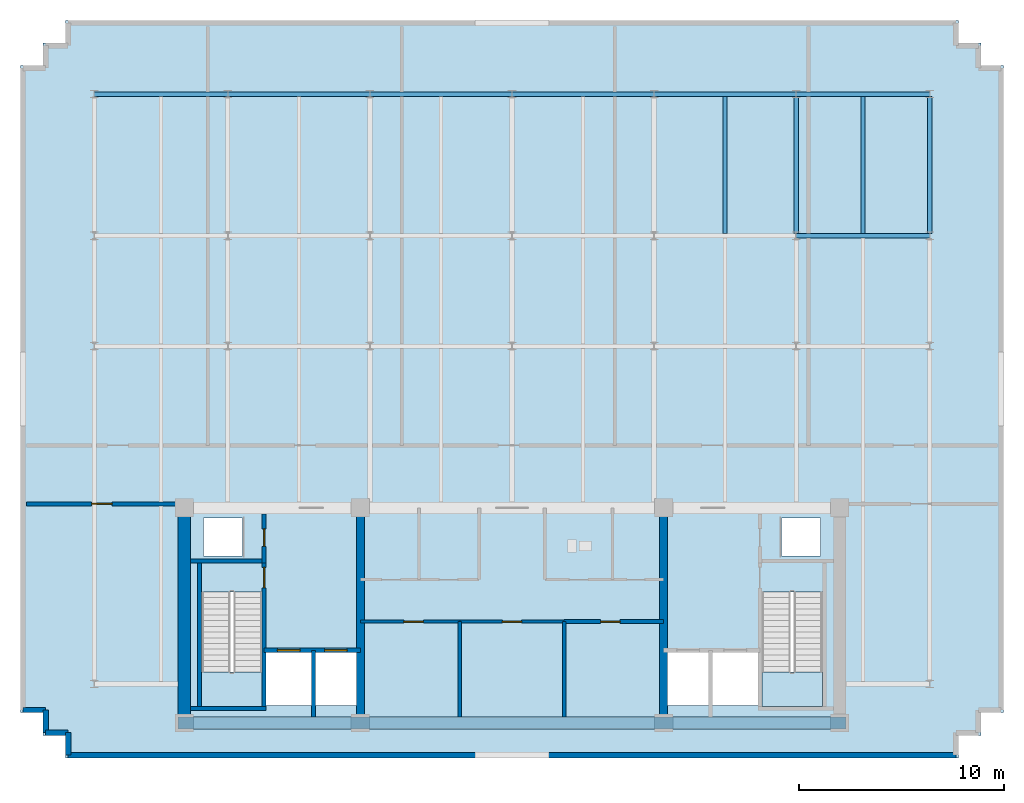
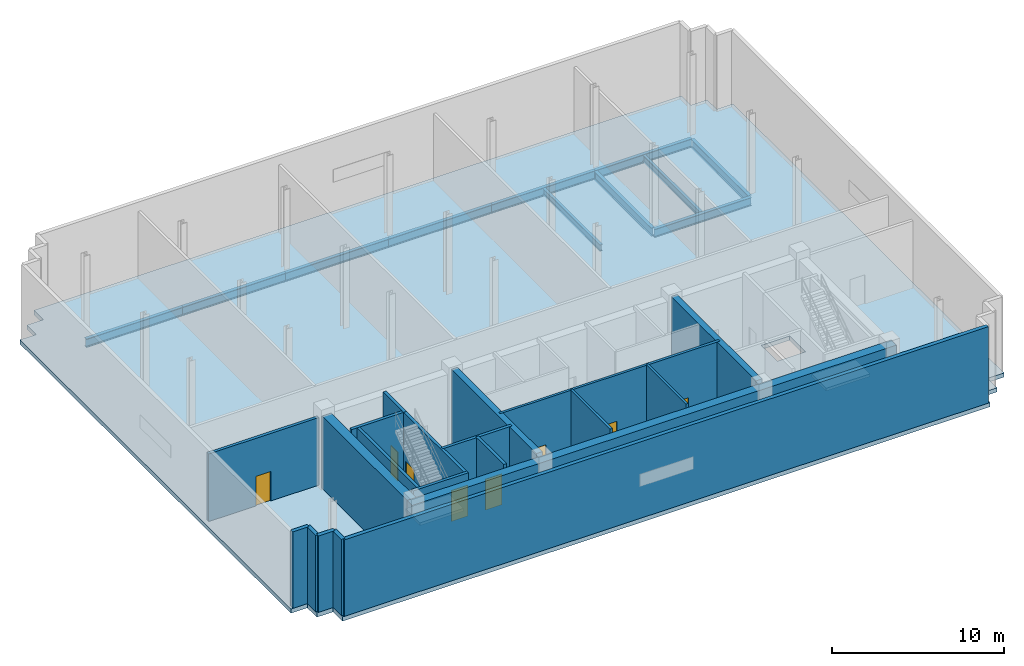
# One storey, part 2 of 7: 22 walls, 11 beams, 8 doors, 3 slabs, 8 openings, 2 elements without a shape of their own.
"""IFC4 building model written with IfcOpenShell, lengths in metres."""

from ifc_helpers import new_model, si_unit, direction, frame, frame_2d, origin, origin_2d, place, context, subcontext, project, spatial, polyline, rectangle, i_section, outline, extrude, material, layer, layer_set, material_profile, profile_set, type_object, element, fill, aggregate, save


model = new_model("IFC4")

# Units and contexts
model_context = context("Model", 3, precision=1e-05, world=origin(), true_north=direction((0.0, 1.0)))
body_context = subcontext(model_context, "Body", "Model", "MODEL_VIEW")
ifc_project = project(units=[si_unit("LENGTHUNIT", "METRE"), si_unit("AREAUNIT", "SQUARE_METRE"), si_unit("VOLUMEUNIT", "CUBIC_METRE"), si_unit("PLANEANGLEUNIT", "RADIAN"), si_unit("MASSUNIT", "GRAM", prefix="KILO")], contexts=[model_context])

# Site, building, storey
site_placement = place(None, origin())
site = spatial("IfcSite", under=ifc_project, at=site_placement, CompositionType="ELEMENT")
building_placement = place(site_placement, origin())
building = spatial("IfcBuilding", under=site, at=building_placement, Name="Solmavex Isthmus Hotel", CompositionType="ELEMENT")
storey_placement = place(building_placement, frame((0.0, 0.0, 302.699951171875)))
storey = spatial("IfcBuildingStorey", under=building, at=storey_placement, Name="L81", CompositionType="ELEMENT", Elevation=302.699951171875)

# Beams
ifc_material_1 = material(Name="Steel ASTM A992 Grade 50", Category="steel")
ifc_material_profile_1 = material_profile(ifc_material_1, i_section(OverallWidth=0.1904296875, OverallDepth=0.456787109375, WebThickness=0.009033203125, FlangeThickness=0.014404296875, FilletRadius=0.0126953125, at=origin_2d()), Name="W18X50")
ifc_profile_set_1 = profile_set([ifc_material_profile_1], Name="Steel ASTM A992 Grade 50")
beam_type_1 = type_object("IfcBeamType", Name="BM-BJ-W18X50", PredefinedType="JOIST", material=ifc_profile_set_1)
for number, where, z_axis, x_axis, name in (
    (1, (10.404052734375, 10.90185546875, -0.5283203125), (0.0, 1.0, 0.0), (-1.0, 0.0, 0.0), "Secondary Floor Joist L81-J15"),
    (2, (17.135986328125, 10.90185546875, -0.5283203125), (0.0, 1.0, 0.0), (-1.0, 0.0, 0.0), "Secondary Floor Joist L81-J18"),
):
    element("IfcBeam", number, at=place(storey_placement, frame(where, z_axis=z_axis, x_axis=x_axis)), inside=storey, type_object=beam_type_1, Name=name, PredefinedType="JOIST", context=body_context, shape_type="SweptSolid", body=[
        extrude(i_section(OverallWidth=0.1904296875, OverallDepth=0.456787109375, WebThickness=0.009033203125, FlangeThickness=0.014404296875, FilletRadius=0.0126953125, at=origin_2d()), origin(), (0.0, 0.0, 1.0), 6.682861328125),
    ])
ifc_material_profile_2 = material_profile(ifc_material_1, i_section(OverallWidth=0.227783203125, OverallDepth=0.602783203125, WebThickness=0.010498046875, FlangeThickness=0.014892578125, FilletRadius=0.01513671875, at=origin_2d()), Name="W24X68")
ifc_profile_set_2 = profile_set([ifc_material_profile_2], Name="Steel ASTM A992 Grade 50")
beam_type_2 = type_object("IfcBeamType", Name="BM-BM-W24X68", PredefinedType="BEAM", material=ifc_profile_set_2)
beam_1_placement = place(storey_placement, frame((13.8720703125, 10.7880859375, -0.601318359375), z_axis=(1.0, 0.0, 0.0), x_axis=(0.0, 1.0, 0.0)))
element("IfcBeam", 3, at=beam_1_placement, inside=storey, type_object=beam_type_2, Name="Floor Girder L81-UG14", PredefinedType="BEAM", context=body_context, shape_type="SweptSolid", body=[
    extrude(i_section(OverallWidth=0.227783203125, OverallDepth=0.602783203125, WebThickness=0.010498046875, FlangeThickness=0.014892578125, FilletRadius=0.01513671875, at=origin_2d()), origin(), (0.0, 0.0, 1.0), 6.52783203125),
])
beam_2_placement = place(storey_placement, frame((13.8720703125, 10.90185546875, -0.601318359375), z_axis=(0.0, 1.0, 0.0), x_axis=(-1.0, 0.0, 0.0)))
element("IfcBeam", 4, at=beam_2_placement, inside=storey, type_object=beam_type_2, Name="Floor Beam L81-VG38", PredefinedType="BEAM", context=body_context, shape_type="SweptSolid", body=[
    extrude(i_section(OverallWidth=0.227783203125, OverallDepth=0.602783203125, WebThickness=0.010498046875, FlangeThickness=0.014892578125, FilletRadius=0.01513671875, at=origin_2d()), origin(), (0.0, 0.0, 1.0), 6.682861328125),
])
ifc_material_profile_3 = material_profile(ifc_material_1, i_section(OverallWidth=0.230224609375, OverallDepth=0.617431640625, WebThickness=0.01318359375, FlangeThickness=0.022216796875, FilletRadius=0.01513671875, at=origin_2d()), Name="W24X94")
ifc_profile_set_3 = profile_set([ifc_material_profile_3], Name="Steel ASTM A992 Grade 50")
beam_type_3 = type_object("IfcBeamType", Name="BM-SP-W24X94", PredefinedType="SPANDREL", material=ifc_profile_set_3)
beam_3_placement = place(storey_placement, frame((-20.39990234375, 17.699951171875, -0.608642578125), z_axis=(1.0, 0.0, 0.0), x_axis=(0.0, 1.0, 0.0)))
element("IfcBeam", 5, at=beam_3_placement, inside=storey, type_object=beam_type_3, Name="Floor Girder L81-UG15", PredefinedType="SPANDREL", context=body_context, shape_type="SweptSolid", body=[
    extrude(i_section(OverallWidth=0.230224609375, OverallDepth=0.617431640625, WebThickness=0.01318359375, FlangeThickness=0.022216796875, FilletRadius=0.01513671875, at=origin_2d()), origin(), (0.0, 0.0, 1.0), 6.52783203125),
])
for number, where, z_axis, x_axis, name in (
    (6, (-13.8720703125, 17.699951171875, -0.608642578125), (1.0, 0.0, 0.0), (0.0, 1.0, 0.0), "Floor Girder L81-UG16"),
    (7, (-6.93603515625, 17.699951171875, -0.608642578125), (1.0, 0.0, 0.0), (0.0, 1.0, 0.0), "Floor Girder L81-UG17"),
    (8, (0.0, 17.699951171875, -0.608642578125), (1.0, 0.0, 0.0), (0.0, 1.0, 0.0), "Floor Girder L81-UG18"),
    (9, (6.93603515625, 17.699951171875, -0.608642578125), (1.0, 0.0, 0.0), (0.0, 1.0, 0.0), "Floor Girder L81-UG19"),
):
    element("IfcBeam", number, at=place(storey_placement, frame(where, z_axis=z_axis, x_axis=x_axis)), inside=storey, type_object=beam_type_3, Name=name, PredefinedType="SPANDREL", context=body_context, shape_type="SweptSolid", body=[
        extrude(i_section(OverallWidth=0.230224609375, OverallDepth=0.617431640625, WebThickness=0.01318359375, FlangeThickness=0.022216796875, FilletRadius=0.01513671875, at=origin_2d()), origin(), (0.0, 0.0, 1.0), 6.93603515625),
    ])
beam_4_placement = place(storey_placement, frame((13.8720703125, 17.699951171875, -0.608642578125), z_axis=(1.0, 0.0, 0.0), x_axis=(0.0, 1.0, 0.0)))
element("IfcBeam", 10, at=beam_4_placement, inside=storey, type_object=beam_type_3, Name="Floor Girder L81-UG20", PredefinedType="SPANDREL", context=body_context, shape_type="SweptSolid", body=[
    extrude(i_section(OverallWidth=0.230224609375, OverallDepth=0.617431640625, WebThickness=0.01318359375, FlangeThickness=0.022216796875, FilletRadius=0.01513671875, at=origin_2d()), origin(), (0.0, 0.0, 1.0), 6.52783203125),
])
beam_5_placement = place(storey_placement, frame((20.39990234375, 10.90185546875, -0.608642578125), z_axis=(0.0, 1.0, 0.0), x_axis=(-1.0, 0.0, 0.0)))
element("IfcBeam", 11, at=beam_5_placement, inside=storey, type_object=beam_type_3, Name="Floor Beam L81-VG41", PredefinedType="SPANDREL", context=body_context, shape_type="SweptSolid", body=[
    extrude(i_section(OverallWidth=0.230224609375, OverallDepth=0.617431640625, WebThickness=0.01318359375, FlangeThickness=0.022216796875, FilletRadius=0.01513671875, at=origin_2d()), origin(), (0.0, 0.0, 1.0), 6.682861328125),
])

# Slab
ifc_material_2 = material(Name="Concrete C40/50", Category="concrete")
ifc_layer_1 = layer(ifc_material_2, 0.300048828125)
ifc_layer_set_1 = layer_set([ifc_layer_1], Name="Concrete C40/50")
slab_type_1 = type_object("IfcSlabType", Name="SLAB-CRN-300", PredefinedType="FLOOR", material=ifc_layer_set_1)
slab_1_placement = place(storey_placement, frame((0.0, 0.0, -0.300048828125)))
element("IfcSlab", 12, at=slab_1_placement, inside=storey, type_object=slab_type_1, Name="Tower Structural Floor Slab L81", PredefinedType="FLOOR", context=body_context, shape_type="SweptSolid", body=[
    extrude(outline(polyline([(-20.699951171875, -14.699951171875), (20.699951171875, -14.699951171875), (21.800048828125, -14.699951171875), (21.800048828125, -13.60009765625), (22.89990234375, -13.60009765625), (22.89990234375, -12.5), (24.0, -12.5), (24.0, -11.39990234375), (24.0, 18.0), (24.0, 19.10009765625), (22.89990234375, 19.10009765625), (22.89990234375, 20.199951171875), (21.800048828125, 20.199951171875), (21.800048828125, 21.300048828125), (20.699951171875, 21.300048828125), (-20.699951171875, 21.300048828125), (-21.800048828125, 21.300048828125), (-21.800048828125, 20.199951171875), (-22.89990234375, 20.199951171875), (-22.89990234375, 19.10009765625), (-24.0, 19.10009765625), (-24.0, 18.0), (-24.0, -11.39990234375), (-24.0, -12.5), (-22.89990234375, -12.5), (-22.89990234375, -13.60009765625), (-21.800048828125, -13.60009765625), (-21.800048828125, -14.699951171875), (-20.699951171875, -14.699951171875)]), holes=[polyline([(-15.14990234375, -6.617919921875), (-15.14990234375, -12.199951171875), (-12.199951171875, -12.199951171875), (-12.199951171875, -6.617919921875), (-15.14990234375, -6.617919921875)]), polyline([(12.199951171875, -6.617919921875), (12.199951171875, -12.199951171875), (15.14990234375, -12.199951171875), (15.14990234375, -6.617919921875), (12.199951171875, -6.617919921875)]), polyline([(-12.0, -12.14990234375), (-9.800048828125, -12.14990234375), (-9.800048828125, -9.550048828125), (-12.0, -9.550048828125), (-12.0, -12.14990234375)]), polyline([(9.800048828125, -12.14990234375), (12.0, -12.14990234375), (12.0, -9.550048828125), (9.800048828125, -9.550048828125), (9.800048828125, -12.14990234375)]), polyline([(-9.60009765625, -12.14990234375), (-7.60009765625, -12.14990234375), (-7.60009765625, -9.550048828125), (-9.60009765625, -9.550048828125), (-9.60009765625, -12.14990234375)]), polyline([(7.60009765625, -12.14990234375), (9.60009765625, -12.14990234375), (9.60009765625, -9.550048828125), (7.60009765625, -9.550048828125), (7.60009765625, -12.14990234375)]), polyline([(-15.050048828125, -4.85009765625), (-13.14990234375, -4.85009765625), (-13.14990234375, -3.0), (-15.050048828125, -3.0), (-15.050048828125, -4.85009765625)]), polyline([(13.14990234375, -4.85009765625), (15.050048828125, -4.85009765625), (15.050048828125, -3.0), (13.14990234375, -3.0), (13.14990234375, -4.85009765625)])]), origin(), (0.0, 0.0, 1.0), 0.300048828125),
])

# Stair, slab
stair_type_1 = type_object("IfcStairType", Name="STR-ST-1", PredefinedType="HALF_TURN_STAIR", material=ifc_material_2)
stair_1_placement = place(storey_placement, origin())
stair_1 = element("IfcStair", 13, at=stair_1_placement, inside=storey, type_object=stair_type_1, Name="L81 Protected Exit Stair ST-1", PredefinedType="HALF_TURN_STAIR")
ifc_layer_2 = layer(ifc_material_2, 0.219970703125)
ifc_layer_set_2 = layer_set([ifc_layer_2], Name="Concrete C40/50")
slab_type_2 = type_object("IfcSlabType", Name="SLD-ST-1", PredefinedType="LANDING", material=ifc_layer_set_2)
slab_2_placement = place(storey_placement, frame((0.0, 0.0, 2.650146484375)))
slab_2 = element("IfcSlab", 14, at=slab_2_placement, type_object=slab_type_2, Name="ST-1 landing 1", PredefinedType="LANDING", context=body_context, shape_type="SweptSolid", body=[
    extrude(outline(polyline([(-15.14990234375, -10.52001953125), (-15.14990234375, -12.199951171875), (-12.199951171875, -12.199951171875), (-12.199951171875, -10.52001953125), (-15.14990234375, -10.52001953125)])), origin(), (0.0, 0.0, 1.0), 0.199951171875),
])
aggregate(stair_1, [slab_2])

stair_type_2 = type_object("IfcStairType", Name="STR-ST-2", PredefinedType="HALF_TURN_STAIR", material=ifc_material_2)
stair_2_placement = place(storey_placement, origin())
stair_2 = element("IfcStair", 15, at=stair_2_placement, inside=storey, type_object=stair_type_2, Name="L81 Protected Exit Stair ST-2", PredefinedType="HALF_TURN_STAIR")
ifc_layer_3 = layer(ifc_material_2, 0.219970703125)
ifc_layer_set_3 = layer_set([ifc_layer_3], Name="Concrete C40/50")
slab_type_3 = type_object("IfcSlabType", Name="SLD-ST-2", PredefinedType="LANDING", material=ifc_layer_set_3)
slab_3_placement = place(storey_placement, frame((0.0, 0.0, 2.650146484375)))
slab_3 = element("IfcSlab", 16, at=slab_3_placement, type_object=slab_type_3, Name="ST-2 landing 1", PredefinedType="LANDING", context=body_context, shape_type="SweptSolid", body=[
    extrude(outline(polyline([(12.199951171875, -10.52001953125), (12.199951171875, -12.199951171875), (15.14990234375, -12.199951171875), (15.14990234375, -10.52001953125), (12.199951171875, -10.52001953125)])), origin(), (0.0, 0.0, 1.0), 0.199951171875),
])
aggregate(stair_2, [slab_3])

# Walls
ifc_material_3 = material(Name="Precast Concrete C40/50", Category="concrete")
ifc_layer_4 = layer(ifc_material_3, 0.260009765625)
ifc_layer_set_4 = layer_set([ifc_layer_4], Name="Precast Concrete C40/50")
wall_type_1 = type_object("IfcWallType", Name="EW-CRN-260", PredefinedType="STANDARD", material=ifc_layer_set_4)
wall_1_placement = place(storey_placement, frame((21.669921875, -14.570068359375, 0.0), z_axis=(0.0, 0.0, 1.0), x_axis=(-1.0, 0.0, 0.0)))
element("IfcWall", 17, at=wall_1_placement, inside=storey, type_object=wall_type_1, Name="Plant Acoustic Louvre Enclosure Wall L81-01", PredefinedType="STANDARD", context=body_context, shape_type="SweptSolid", body=[
    extrude(rectangle(XDim=43.33984375, YDim=0.260009765625, at=frame_2d((21.669921875, 0.0))), origin(), (0.0, 0.0, 1.0), 5.43994140625),
])
for number, where, z_axis, x_axis, name in (
    (18, (-21.669921875, -14.570068359375, 0.0), (0.0, 0.0, 1.0), (0.0, 1.0, 0.0), "Plant Acoustic Louvre Enclosure Wall L81-02"),
    (19, (-21.669921875, -13.469970703125, 0.0), (0.0, 0.0, 1.0), (-1.0, 0.0, 0.0), "Plant Acoustic Louvre Enclosure Wall L81-03"),
):
    element("IfcWall", number, at=place(storey_placement, frame(where, z_axis=z_axis, x_axis=x_axis)), inside=storey, type_object=wall_type_1, Name=name, PredefinedType="STANDARD", context=body_context, shape_type="SweptSolid", body=[
        extrude(rectangle(XDim=1.10009765625, YDim=0.260009765625, at=frame_2d((0.550048828125, 0.0))), origin(), (0.0, 0.0, 1.0), 5.43994140625),
    ])
wall_2_placement = place(storey_placement, frame((-22.77001953125, -13.469970703125, 0.0), z_axis=(0.0, 0.0, 1.0), x_axis=(0.0, 1.0, 0.0)))
element("IfcWall", 20, at=wall_2_placement, inside=storey, type_object=wall_type_1, Name="Plant Acoustic Louvre Enclosure Wall L81-04", PredefinedType="STANDARD", context=body_context, shape_type="SweptSolid", body=[
    extrude(rectangle(XDim=1.099853515625, YDim=0.260009765625, at=frame_2d((0.5498046875, 0.0))), origin(), (0.0, 0.0, 1.0), 5.43994140625),
])
wall_3_placement = place(storey_placement, frame((-22.77001953125, -12.3701171875, 0.0), z_axis=(0.0, 0.0, 1.0), x_axis=(-1.0, 0.0, 0.0)))
element("IfcWall", 21, at=wall_3_placement, inside=storey, type_object=wall_type_1, Name="Plant Acoustic Louvre Enclosure Wall L81-05", PredefinedType="STANDARD", context=body_context, shape_type="SweptSolid", body=[
    extrude(rectangle(XDim=1.10009765625, YDim=0.260009765625, at=frame_2d((0.550048828125, 0.0))), origin(), (0.0, 0.0, 1.0), 5.43994140625),
])

# Wall, opening, door
ifc_material_4 = material(Name="Gypsum plasterboard lining", Category="gypsum")
ifc_layer_5 = layer(ifc_material_4, 0.159912109375)
ifc_layer_set_5 = layer_set([ifc_layer_5], Name="Gypsum plasterboard lining")
wall_type_2 = type_object("IfcWallType", Name="IW-COMP-160", PredefinedType="PARTITIONING", material=ifc_layer_set_5)
wall_4_placement = place(storey_placement, frame((-7.39990234375, -8.050048828125, 0.0), z_axis=(0.0, 0.0, 1.0), x_axis=(1.0, 0.0, 0.0)))
wall_4 = element("IfcWall", 22, at=wall_4_placement, inside=storey, type_object=wall_type_2, Name="Interior Partition Wall W-L81-REC-PLL-N", PredefinedType="PARTITIONING", context=body_context, shape_type="SweptSolid", body=[
    extrude(rectangle(XDim=4.849853515625, YDim=0.159912109375, at=frame_2d((2.4248046875, 0.0))), origin(), (0.0, 0.0, 1.0), 5.43994140625),
])
opening_1_placement = place(wall_4_placement, frame((2.125, 0.0, 0.0)))
opening_1 = element("IfcOpeningElement", 23, at=opening_1_placement, cuts=wall_4, Name="Opening ID-C095", PredefinedType="OPENING", context=body_context, shape_type="SweptSolid", body=[
    extrude(rectangle(XDim=0.949951171875, YDim=2.14990234375, at=frame_2d((0.47509765625, 1.074951171875))), frame((0.0, 0.08984375, 0.0), z_axis=(0.0, -1.0, 0.0), x_axis=(1.0, 0.0, 0.0)), (0.0, 0.0, 1.0), 0.179931640625),
])
ifc_material_5 = material(Name="Hardwood timber", Category="wood")
door_type_1 = type_object("IfcDoorType", Name="IDR-FD60-0950", OperationType="NOTDEFINED", PredefinedType="DOOR", material=ifc_material_5)
door_1_placement = place(opening_1_placement, origin())
door_1 = element("IfcDoor", 24, at=door_1_placement, inside=storey, type_object=door_type_1, Name="Linen Reserve Door L81", OperationType="SINGLE_SWING_LEFT", OverallHeight=2.14990234375, OverallWidth=0.949951171875, PredefinedType="DOOR", context=body_context, shape_type="SweptSolid", body=[
    extrude(rectangle(XDim=0.949951171875, YDim=2.14990234375, at=frame_2d((0.47509765625, 1.074951171875))), frame((0.0, 0.02490234375, 0.0), z_axis=(0.0, -1.0, 0.0), x_axis=(1.0, 0.0, 0.0)), (0.0, 0.0, 1.0), 0.050048828125),
])
fill(opening_1, door_1)

# Wall
wall_5_placement = place(storey_placement, frame((-2.550048828125, -12.699951171875, 0.0), z_axis=(0.0, 0.0, 1.0), x_axis=(0.0, 1.0, 0.0)))
element("IfcWall", 25, at=wall_5_placement, inside=storey, type_object=wall_type_2, Name="Interior Partition Wall W-L81-REC-PLL-E", PredefinedType="PARTITIONING", context=body_context, shape_type="SweptSolid", body=[
    extrude(rectangle(XDim=4.64990234375, YDim=0.159912109375, at=frame_2d((2.324951171875, 0.0))), origin(), (0.0, 0.0, 1.0), 5.43994140625),
])

# Wall, opening, door
wall_6_placement = place(storey_placement, frame((-2.550048828125, -8.050048828125, 0.0), z_axis=(0.0, 0.0, 1.0), x_axis=(1.0, 0.0, 0.0)))
wall_6 = element("IfcWall", 26, at=wall_6_placement, inside=storey, type_object=wall_type_2, Name="Interior Partition Wall W-L81-REC-PLM-N", PredefinedType="PARTITIONING", context=body_context, shape_type="SweptSolid", body=[
    extrude(rectangle(XDim=5.10009765625, YDim=0.159912109375, at=frame_2d((2.550048828125, 0.0))), origin(), (0.0, 0.0, 1.0), 5.43994140625),
])
opening_2_placement = place(wall_6_placement, frame((2.074951171875, 0.0, 0.0)))
opening_2 = element("IfcOpeningElement", 27, at=opening_2_placement, cuts=wall_6, Name="Opening ID-C095", PredefinedType="OPENING", context=body_context, shape_type="SweptSolid", body=[
    extrude(rectangle(XDim=0.949951171875, YDim=2.14990234375, at=frame_2d((0.47509765625, 1.074951171875))), frame((0.0, 0.08984375, 0.0), z_axis=(0.0, -1.0, 0.0), x_axis=(1.0, 0.0, 0.0)), (0.0, 0.0, 1.0), 0.179931640625),
])
door_2_placement = place(opening_2_placement, origin())
door_2 = element("IfcDoor", 28, at=door_2_placement, inside=storey, type_object=door_type_1, Name="Butler Store Door L81", OperationType="SINGLE_SWING_RIGHT", OverallHeight=2.14990234375, OverallWidth=0.949951171875, PredefinedType="DOOR", context=body_context, shape_type="SweptSolid", body=[
    extrude(rectangle(XDim=0.949951171875, YDim=2.14990234375, at=frame_2d((0.47509765625, 1.074951171875))), frame((0.0, 0.02490234375, 0.0), z_axis=(0.0, -1.0, 0.0), x_axis=(1.0, 0.0, 0.0)), (0.0, 0.0, 1.0), 0.050048828125),
])
fill(opening_2, door_2)

# Wall
wall_7_placement = place(storey_placement, frame((2.550048828125, -12.699951171875, 0.0), z_axis=(0.0, 0.0, 1.0), x_axis=(0.0, 1.0, 0.0)))
element("IfcWall", 29, at=wall_7_placement, inside=storey, type_object=wall_type_2, Name="Interior Partition Wall W-L81-REC-PLM-E", PredefinedType="PARTITIONING", context=body_context, shape_type="SweptSolid", body=[
    extrude(rectangle(XDim=4.64990234375, YDim=0.159912109375, at=frame_2d((2.324951171875, 0.0))), origin(), (0.0, 0.0, 1.0), 5.43994140625),
])

# Wall, opening, door
ifc_layer_6 = layer(ifc_material_2, 0.179931640625)
ifc_layer_set_6 = layer_set([ifc_layer_6], Name="Concrete C40/50")
wall_type_3 = type_object("IfcWallType", Name="IW-SHAFT-180", PredefinedType="PARTITIONING", material=ifc_layer_set_6)
wall_8_placement = place(storey_placement, frame((2.550048828125, -8.050048828125, 0.0), z_axis=(0.0, 0.0, 1.0), x_axis=(1.0, 0.0, 0.0)))
wall_8 = element("IfcWall", 30, at=wall_8_placement, inside=storey, type_object=wall_type_3, Name="Interior Partition Wall W-L81-TOP-PLH", PredefinedType="PARTITIONING", context=body_context, shape_type="SweptSolid", body=[
    extrude(rectangle(XDim=4.849853515625, YDim=0.179931640625, at=frame_2d((2.4248046875, 0.0))), origin(), (0.0, 0.0, 1.0), 5.43994140625),
])
opening_3_placement = place(wall_8_placement, frame((1.77490234375, 0.0, 0.0)))
opening_3 = element("IfcOpeningElement", 31, at=opening_3_placement, cuts=wall_8, Name="Opening ID-C095", PredefinedType="OPENING", context=body_context, shape_type="SweptSolid", body=[
    extrude(rectangle(XDim=0.949951171875, YDim=2.14990234375, at=frame_2d((0.47509765625, 1.074951171875))), frame((0.0, 0.099853515625, 0.0), z_axis=(0.0, -1.0, 0.0), x_axis=(1.0, 0.0, 0.0)), (0.0, 0.0, 1.0), 0.199951171875),
])
door_3_placement = place(opening_3_placement, origin())
door_3 = element("IfcDoor", 32, at=door_3_placement, inside=storey, type_object=door_type_1, Name="Control Room Door L81", OperationType="SINGLE_SWING_LEFT", OverallHeight=2.14990234375, OverallWidth=0.949951171875, PredefinedType="DOOR", context=body_context, shape_type="SweptSolid", body=[
    extrude(rectangle(XDim=0.949951171875, YDim=2.14990234375, at=frame_2d((0.47509765625, 1.074951171875))), frame((0.0, 0.02490234375, 0.0), z_axis=(0.0, -1.0, 0.0), x_axis=(1.0, 0.0, 0.0)), (0.0, 0.0, 1.0), 0.050048828125),
])
fill(opening_3, door_3)

ifc_layer_7 = layer(ifc_material_2, 0.199951171875)
ifc_layer_set_7 = layer_set([ifc_layer_7], Name="Concrete C40/50")
wall_type_4 = type_object("IfcWallType", Name="IW-SHAFT-200", PredefinedType="PARTITIONING", material=ifc_layer_set_7)
wall_9_placement = place(storey_placement, frame((-12.10009765625, -5.199951171875, 0.0), z_axis=(0.0, 0.0, 1.0), x_axis=(0.0, 1.0, 0.0)))
wall_9 = element("IfcWall", 33, at=wall_9_placement, inside=storey, type_object=wall_type_4, Name="Interior Partition Wall W-L81-RSW-E", PredefinedType="PARTITIONING", context=body_context, shape_type="SweptSolid", body=[
    extrude(rectangle(XDim=2.39990234375, YDim=0.199951171875, at=frame_2d((1.199951171875, 0.0))), origin(), (0.0, 0.0, 1.0), 5.43994140625),
])
opening_4_placement = place(wall_9_placement, frame((0.824951171875, 0.0, 0.0)))
opening_4 = element("IfcOpeningElement", 34, at=opening_4_placement, cuts=wall_9, Name="Opening ID-R085", PredefinedType="OPENING", context=body_context, shape_type="SweptSolid", body=[
    extrude(rectangle(XDim=0.85009765625, YDim=2.050048828125, at=frame_2d((0.425048828125, 1.02490234375))), frame((0.0, 0.10986328125, 0.0), z_axis=(0.0, -1.0, 0.0), x_axis=(1.0, 0.0, 0.0)), (0.0, 0.0, 1.0), 0.219970703125),
])
ifc_material_6 = material(Name="Steel ASTM A500 Grade C", Category="steel")
door_type_2 = type_object("IfcDoorType", Name="IDR-FD60-0850", OperationType="NOTDEFINED", PredefinedType="DOOR", material=ifc_material_6)
door_4_placement = place(opening_4_placement, origin())
door_4 = element("IfcDoor", 35, at=door_4_placement, inside=storey, type_object=door_type_2, Name="Electrical Riser Door L81", OperationType="SINGLE_SWING_RIGHT", OverallHeight=2.050048828125, OverallWidth=0.85009765625, PredefinedType="DOOR", context=body_context, shape_type="SweptSolid", body=[
    extrude(rectangle(XDim=0.85009765625, YDim=2.050048828125, at=frame_2d((0.425048828125, 1.02490234375))), frame((0.0, 0.02490234375, 0.0), z_axis=(0.0, -1.0, 0.0), x_axis=(1.0, 0.0, 0.0)), (0.0, 0.0, 1.0), 0.050048828125),
])
fill(opening_4, door_4)

# Wall, openings, doors
wall_10_placement = place(storey_placement, frame((-12.10009765625, -9.449951171875, 0.0), z_axis=(0.0, 0.0, 1.0), x_axis=(1.0, 0.0, 0.0)))
wall_10 = element("IfcWall", 36, at=wall_10_placement, inside=storey, type_object=wall_type_4, Name="Interior Partition Wall W-L81-FFLW-S", PredefinedType="PARTITIONING", context=body_context, shape_type="SweptSolid", body=[
    extrude(rectangle(XDim=4.7001953125, YDim=0.199951171875, at=frame_2d((2.35009765625, 0.0))), origin(), (0.0, 0.0, 1.0), 5.43994140625),
])
opening_5_placement = place(wall_10_placement, frame((0.64990234375, 0.0, 0.0)))
opening_5 = element("IfcOpeningElement", 37, at=opening_5_placement, cuts=wall_10, Name="Opening LD-FF", PredefinedType="OPENING", context=body_context, shape_type="SweptSolid", body=[
    extrude(rectangle(XDim=1.10009765625, YDim=2.199951171875, at=frame_2d((0.550048828125, 1.10009765625))), frame((0.0, 0.10986328125, 0.0), z_axis=(0.0, -1.0, 0.0), x_axis=(1.0, 0.0, 0.0)), (0.0, 0.0, 1.0), 0.219970703125),
])
opening_6_placement = place(wall_10_placement, frame((2.949951171875, 0.0, 0.0)))
opening_6 = element("IfcOpeningElement", 38, at=opening_6_placement, cuts=wall_10, Name="Opening LD-SV", PredefinedType="OPENING", context=body_context, shape_type="SweptSolid", body=[
    extrude(rectangle(XDim=1.10009765625, YDim=2.199951171875, at=frame_2d((0.550048828125, 1.10009765625))), frame((0.0, 0.10986328125, 0.0), z_axis=(0.0, -1.0, 0.0), x_axis=(1.0, 0.0, 0.0)), (0.0, 0.0, 1.0), 0.219970703125),
])
ifc_material_7 = material(Name="Stainless steel 316", Category="steel")
door_type_3 = type_object("IfcDoorType", Name="LDR-FF-1100", OperationType="NOTDEFINED", PredefinedType="DOOR", material=ifc_material_7)
door_5_placement = place(opening_5_placement, origin())
door_5 = element("IfcDoor", 39, at=door_5_placement, inside=storey, type_object=door_type_3, Name="Lift Landing Door FFL-1 L81", OperationType="SLIDING_TO_LEFT", OverallHeight=2.199951171875, OverallWidth=1.10009765625, PredefinedType="DOOR", context=body_context, shape_type="SweptSolid", body=[
    extrude(rectangle(XDim=1.10009765625, YDim=2.199951171875, at=frame_2d((0.550048828125, 1.10009765625))), frame((0.0, 0.02490234375, 0.0), z_axis=(0.0, -1.0, 0.0), x_axis=(1.0, 0.0, 0.0)), (0.0, 0.0, 1.0), 0.050048828125),
])
fill(opening_5, door_5)
door_type_4 = type_object("IfcDoorType", Name="LDR-SV-1100", OperationType="NOTDEFINED", PredefinedType="DOOR", material=ifc_material_7)
door_6_placement = place(opening_6_placement, origin())
door_6 = element("IfcDoor", 40, at=door_6_placement, inside=storey, type_object=door_type_4, Name="Lift Landing Door SVL-1 L81", OperationType="SLIDING_TO_RIGHT", OverallHeight=2.199951171875, OverallWidth=1.10009765625, PredefinedType="DOOR", context=body_context, shape_type="SweptSolid", body=[
    extrude(rectangle(XDim=1.10009765625, YDim=2.199951171875, at=frame_2d((0.550048828125, 1.10009765625))), frame((0.0, 0.02490234375, 0.0), z_axis=(0.0, -1.0, 0.0), x_axis=(1.0, 0.0, 0.0)), (0.0, 0.0, 1.0), 0.050048828125),
])
fill(opening_6, door_6)

# Wall
wall_11_placement = place(storey_placement, frame((-9.699951171875, -12.699951171875, 0.0), z_axis=(0.0, 0.0, 1.0), x_axis=(0.0, 1.0, 0.0)))
element("IfcWall", 41, at=wall_11_placement, inside=storey, type_object=wall_type_4, Name="Interior Partition Wall W-L81-FFLW-M", PredefinedType="PARTITIONING", context=body_context, shape_type="SweptSolid", body=[
    extrude(rectangle(XDim=3.25, YDim=0.199951171875, at=frame_2d((1.625, 0.0))), origin(), (0.0, 0.0, 1.0), 5.43994140625),
])

# Wall, opening, door
wall_12_placement = place(storey_placement, frame((-23.7099609375, -2.300048828125, 0.0), z_axis=(0.0, 0.0, 1.0), x_axis=(1.0, 0.0, 0.0)))
wall_12 = element("IfcWall", 42, at=wall_12_placement, inside=storey, type_object=wall_type_4, Name="Interior Partition Wall W-L81-PSW", PredefinedType="PARTITIONING", context=body_context, shape_type="SweptSolid", body=[
    extrude(rectangle(XDim=7.409912109375, YDim=0.199951171875, at=frame_2d((3.705078125, 0.0))), origin(), (0.0, 0.0, 1.0), 4.8076171875),
])
opening_7_placement = place(wall_12_placement, frame((3.18505859375, 0.0, 0.0)))
opening_7 = element("IfcOpeningElement", 43, at=opening_7_placement, cuts=wall_12, Name="Opening ID-F100", PredefinedType="OPENING", context=body_context, shape_type="SweptSolid", body=[
    extrude(rectangle(XDim=1.0, YDim=2.10009765625, at=frame_2d((0.5, 1.050048828125))), frame((0.0, 0.10986328125, 0.0), z_axis=(0.0, -1.0, 0.0), x_axis=(1.0, 0.0, 0.0)), (0.0, 0.0, 1.0), 0.219970703125),
])
door_type_5 = type_object("IfcDoorType", Name="IDR-FD90-1000", OperationType="NOTDEFINED", PredefinedType="DOOR", material=ifc_material_6)
door_7_placement = place(opening_7_placement, frame((1.0, 0.0, 0.0), z_axis=(0.0, 0.0, 1.0), x_axis=(-1.0, 0.0, 0.0)))
door_7 = element("IfcDoor", 44, at=door_7_placement, inside=storey, type_object=door_type_5, Name="Domestic Water Booster Plant Room Door L81", OperationType="SINGLE_SWING_LEFT", OverallHeight=2.10009765625, OverallWidth=1.0, PredefinedType="DOOR", context=body_context, shape_type="SweptSolid", body=[
    extrude(rectangle(XDim=1.0, YDim=2.10009765625, at=frame_2d((0.5, 1.050048828125))), frame((0.0, 0.02490234375, 0.0), z_axis=(0.0, -1.0, 0.0), x_axis=(1.0, 0.0, 0.0)), (0.0, 0.0, 1.0), 0.050048828125),
])
fill(opening_7, door_7)

# Walls
ifc_material_8 = material(Name="Concrete C50/60", Category="concrete")
ifc_layer_8 = layer(ifc_material_8, 0.39990234375)
ifc_layer_set_8 = layer_set([ifc_layer_8], Name="Concrete C50/60")
wall_type_5 = type_object("IfcWallType", Name="WALL-CW-400H", PredefinedType="SHEAR", material=ifc_layer_set_8)
for number, where, z_axis, x_axis, name in (
    (45, (-7.39990234375, -12.699951171875, 0.0), (0.0, 0.0, 1.0), (0.0, 1.0, 0.0), "Core Cross Shear Wall C1 L81"),
    (46, (7.39990234375, -12.699951171875, 0.0), (0.0, 0.0, 1.0), (0.0, 1.0, 0.0), "Core Cross Shear Wall C2 L81"),
):
    element("IfcWall", number, at=place(storey_placement, frame(where, z_axis=z_axis, x_axis=x_axis)), inside=storey, type_object=wall_type_5, Name=name, PredefinedType="SHEAR", context=body_context, shape_type="SweptSolid", body=[
        extrude(rectangle(XDim=9.89990234375, YDim=0.39990234375, at=frame_2d((4.949951171875, 0.0))), origin(), (0.0, 0.0, 1.0), 5.43994140625),
    ])
ifc_layer_9 = layer(ifc_material_8, 0.60009765625)
ifc_layer_set_9 = layer_set([ifc_layer_9], Name="Concrete C50/60")
wall_type_6 = type_object("IfcWallType", Name="WALL-CW-600", PredefinedType="SHEAR", material=ifc_layer_set_9)
wall_13_placement = place(storey_placement, frame((-16.300048828125, -13.0, 0.0), z_axis=(0.0, 0.0, 1.0), x_axis=(1.0, 0.0, 0.0)))
element("IfcWall", 47, at=wall_13_placement, inside=storey, type_object=wall_type_6, Name="Core Shear Wall South L81", PredefinedType="SHEAR", context=body_context, shape_type="SweptSolid", body=[
    extrude(rectangle(XDim=32.60009765625, YDim=0.60009765625, at=frame_2d((16.300048828125, 0.0))), origin(), (0.0, 0.0, 1.0), 5.16015625),
])
wall_14_placement = place(storey_placement, frame((-16.0, -12.699951171875, 0.0), z_axis=(0.0, 0.0, 1.0), x_axis=(0.0, 1.0, 0.0)))
element("IfcWall", 48, at=wall_14_placement, inside=storey, type_object=wall_type_6, Name="Core Shear Wall West L81", PredefinedType="SHEAR", context=body_context, shape_type="SweptSolid", body=[
    extrude(rectangle(XDim=9.89990234375, YDim=0.60009765625, at=frame_2d((4.949951171875, 0.0))), origin(), (0.0, 0.0, 1.0), 5.16015625),
])
ifc_layer_10 = layer(ifc_material_2, 0.199951171875)
ifc_layer_set_10 = layer_set([ifc_layer_10], Name="Concrete C40/50")
wall_type_7 = type_object("IfcWallType", Name="WALL-SW-200", PredefinedType="SOLIDWALL", material=ifc_layer_set_10)
for number, where, z_axis, x_axis, name in (
    (49, (-15.699951171875, -12.300048828125, 0.0), (0.0, 0.0, 1.0), (1.0, 0.0, 0.0), "Stairwell Structural Wall SW-L81-ST1-S"),
    (50, (-15.699951171875, -5.10009765625, 0.0), (0.0, 0.0, 1.0), (1.0, 0.0, 0.0), "Stairwell Structural Wall SW-L81-ST1-N"),
):
    element("IfcWall", number, at=place(storey_placement, frame(where, z_axis=z_axis, x_axis=x_axis)), inside=storey, type_object=wall_type_7, Name=name, PredefinedType="SOLIDWALL", context=body_context, shape_type="SweptSolid", body=[
        extrude(rectangle(XDim=3.699951171875, YDim=0.199951171875, at=frame_2d((1.85009765625, 0.0))), origin(), (0.0, 0.0, 1.0), 5.43994140625),
    ])
wall_15_placement = place(storey_placement, frame((-15.25, -12.199951171875, 0.0), z_axis=(0.0, 0.0, 1.0), x_axis=(0.0, 1.0, 0.0)))
element("IfcWall", 51, at=wall_15_placement, inside=storey, type_object=wall_type_7, Name="Stairwell Structural Wall SW-L81-ST1-W", PredefinedType="SOLIDWALL", context=body_context, shape_type="SweptSolid", body=[
    extrude(rectangle(XDim=7.0, YDim=0.199951171875, at=frame_2d((3.5, 0.0))), origin(), (0.0, 0.0, 1.0), 5.43994140625),
])

# Wall, opening, door
wall_16_placement = place(storey_placement, frame((-12.10009765625, -12.199951171875, 0.0), z_axis=(0.0, 0.0, 1.0), x_axis=(0.0, 1.0, 0.0)))
wall_16 = element("IfcWall", 52, at=wall_16_placement, inside=storey, type_object=wall_type_7, Name="Stairwell Structural Wall SW-L81-ST1-E", PredefinedType="SOLIDWALL", context=body_context, shape_type="SweptSolid", body=[
    extrude(rectangle(XDim=7.0, YDim=0.199951171875, at=frame_2d((3.5, 0.0))), origin(), (0.0, 0.0, 1.0), 5.43994140625),
])
opening_8_placement = place(wall_16_placement, frame((5.800048828125, 0.0, 0.0)))
opening_8 = element("IfcOpeningElement", 53, at=opening_8_placement, cuts=wall_16, Name="Opening ID-F100", PredefinedType="OPENING", context=body_context, shape_type="SweptSolid", body=[
    extrude(rectangle(XDim=1.0, YDim=2.10009765625, at=frame_2d((0.5, 1.050048828125))), frame((0.0, 0.10986328125, 0.0), z_axis=(0.0, -1.0, 0.0), x_axis=(1.0, 0.0, 0.0)), (0.0, 0.0, 1.0), 0.219970703125),
])
door_8_placement = place(opening_8_placement, frame((1.0, 0.0, 0.0), z_axis=(0.0, 0.0, 1.0), x_axis=(-1.0, 0.0, 0.0)))
door_8 = element("IfcDoor", 54, at=door_8_placement, inside=storey, type_object=door_type_5, Name="Stair ST-1 Fire Door L81", OperationType="SINGLE_SWING_LEFT", OverallHeight=2.10009765625, OverallWidth=1.0, PredefinedType="DOOR", context=body_context, shape_type="SweptSolid", body=[
    extrude(rectangle(XDim=1.0, YDim=2.10009765625, at=frame_2d((0.5, 1.050048828125))), frame((0.0, 0.02490234375, 0.0), z_axis=(0.0, -1.0, 0.0), x_axis=(1.0, 0.0, 0.0)), (0.0, 0.0, 1.0), 0.050048828125),
])
fill(opening_8, door_8)

save(model, "model.ifc")
